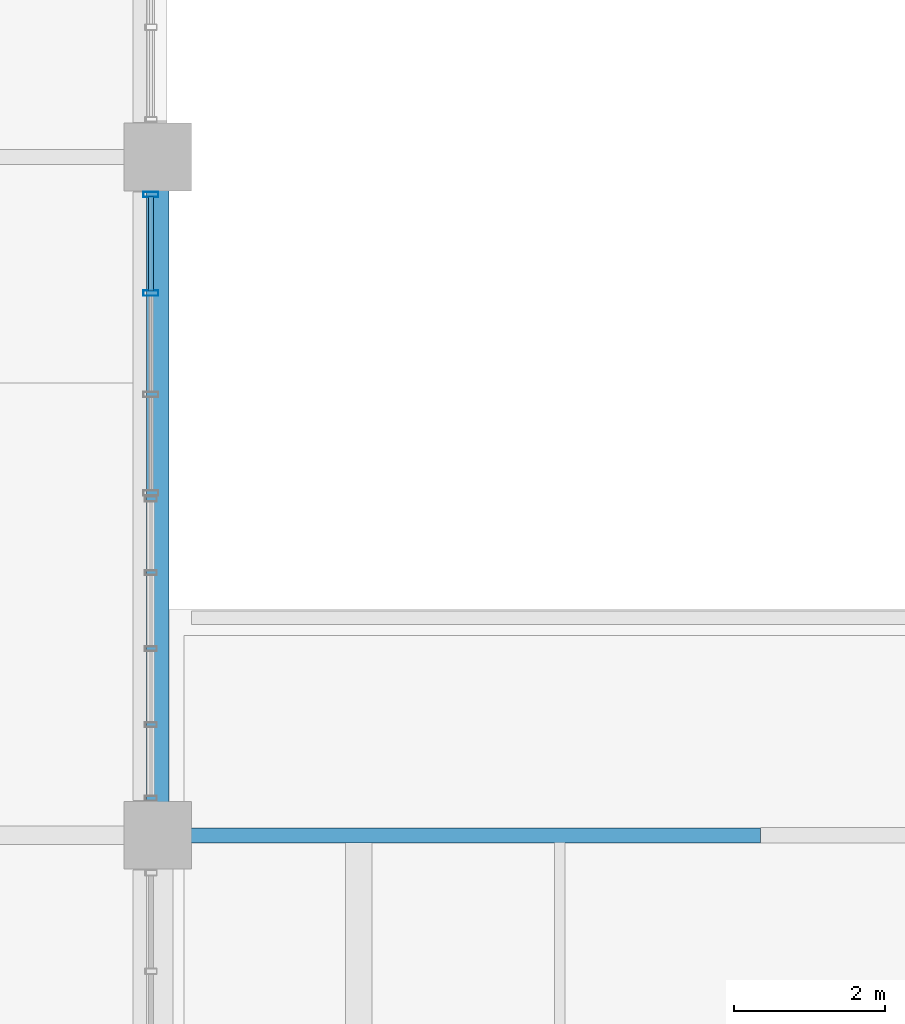
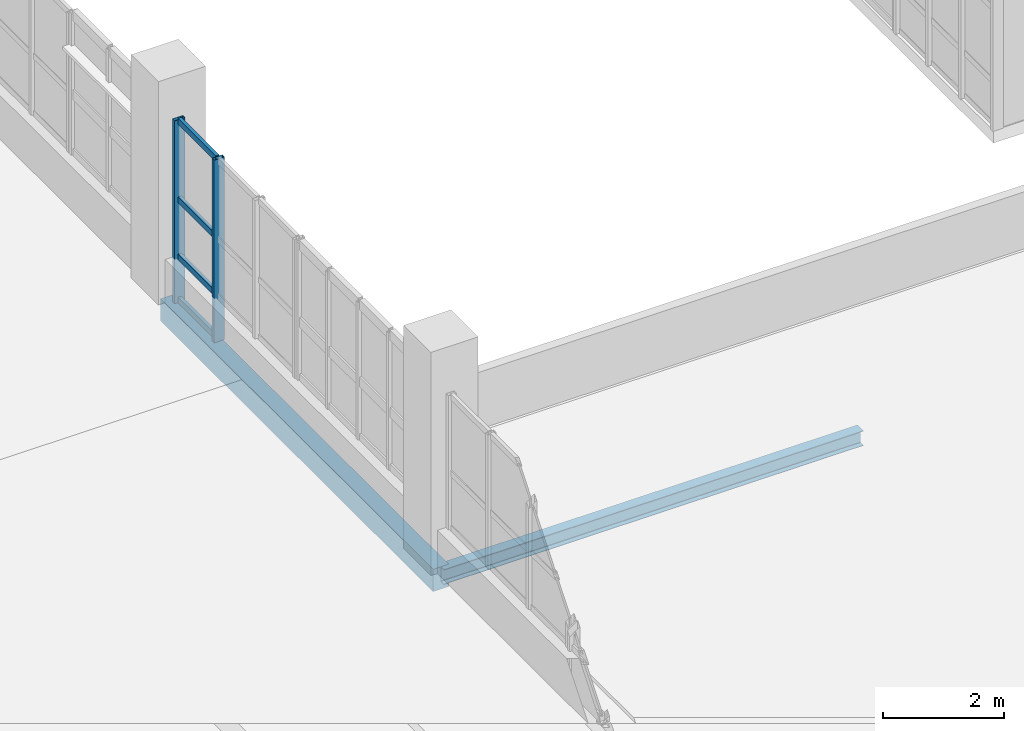
# One storey, part 19 of 85: 6 members, 2 beams, 1 element without a shape of its own.
"""IFC4 building model written with IfcOpenShell, lengths in metres."""

from ifc_helpers import new_model, si_unit, derived_unit, direction, frame, origin, origin_2d, place, context, subcontext, project, spatial, rectangle, hollow_rectangle, i_section, extrude, material, layer, layer_set, material_profile, profile_set, type_object, element, aggregate, save


model = new_model("IFC4")

# Units and contexts
model_context = context("Model", 3, precision=1e-05, world=origin(), true_north=direction((0.0, 1.0)))
body_context = subcontext(model_context, "Body", "Model", "MODEL_VIEW")
ifc_project = project(units=[si_unit("LENGTHUNIT", "METRE"), si_unit("AREAUNIT", "SQUARE_METRE"), si_unit("VOLUMEUNIT", "CUBIC_METRE"), si_unit("PLANEANGLEUNIT", "RADIAN"), si_unit("MASSUNIT", "GRAM", prefix="KILO"), derived_unit("THERMALTRANSMITTANCEUNIT", [(si_unit("POWERUNIT", "WATT"), 1), (si_unit("LENGTHUNIT", "METRE"), -2), (si_unit("THERMODYNAMICTEMPERATUREUNIT", "KELVIN"), -1)])], contexts=[model_context])

# Site, building, storey
site_placement = place(None, origin())
site = spatial("IfcSite", under=ifc_project, at=site_placement, CompositionType="ELEMENT")
building_placement = place(site_placement, origin())
building = spatial("IfcBuilding", under=site, at=building_placement, Name="Nallur Shell Playhouse", CompositionType="ELEMENT")
storey_placement = place(building_placement, frame((0.0, 0.0, 19.800048828125)))
storey = spatial("IfcBuildingStorey", under=building, at=storey_placement, Name="L05", CompositionType="ELEMENT", Elevation=19.800048828125)

# Beams
ifc_material_1 = material(Name="Concrete M35", Category="concrete")
ifc_material_profile_1 = material_profile(ifc_material_1, rectangle(XDim=0.300048828125, YDim=0.449951171875, at=origin_2d()), Name="RC 300x450")
ifc_profile_set_1 = profile_set([ifc_material_profile_1], Name="Concrete M35")
beam_type_1 = type_object("IfcBeamType", Name="BM-SPN-300x450", PredefinedType="SPANDREL", material=ifc_profile_set_1)
beam_1_placement = place(storey_placement, frame((40.0, 41.0, -0.47509765625), z_axis=(0.0, 1.0, 0.0), x_axis=(-1.0, 0.0, 0.0)))
element("IfcBeam", 1, at=beam_1_placement, inside=storey, type_object=beam_type_1, Name="L05 girder Y-5-1008", PredefinedType="SPANDREL", context=body_context, shape_type="SweptSolid", body=[
    extrude(rectangle(XDim=0.300048828125, YDim=0.449951171875, at=origin_2d()), origin(), (0.0, 0.0, 1.0), 9.0),
])
ifc_material_2 = material(Name="Steel E250", Category="steel")
ifc_material_profile_2 = material_profile(ifc_material_2, i_section(OverallWidth=0.199951171875, OverallDepth=0.300048828125, WebThickness=0.00732421875, FlangeThickness=0.010009765625, FilletRadius=0.010986328125, at=origin_2d()), Name="ISWB 300")
ifc_profile_set_2 = profile_set([ifc_material_profile_2], Name="Steel E250")
beam_type_2 = type_object("IfcBeamType", Name="BM-ST-ISWB300", PredefinedType="BEAM", material=ifc_profile_set_2)
beam_2_placement = place(storey_placement, frame((40.0, 41.0, -0.400146484375), z_axis=(1.0, 0.0, 0.0), x_axis=(0.0, 1.0, 0.0)))
element("IfcBeam", 2, at=beam_2_placement, inside=storey, type_object=beam_type_2, Name="L05 girder X-E-951", PredefinedType="BEAM", context=body_context, shape_type="SweptSolid", body=[
    extrude(i_section(OverallWidth=0.199951171875, OverallDepth=0.300048828125, WebThickness=0.00732421875, FlangeThickness=0.010009765625, FilletRadius=0.010986328125, at=origin_2d()), origin(), (0.0, 0.0, 1.0), 8.0),
])

# Curtain wall, members
ifc_material_3 = material(Name="Anodised Aluminium Double-Glazed Facade System", Category="aluminium")
ifc_layer = layer(ifc_material_3, 0.179931640625)
ifc_layer_set = layer_set([ifc_layer], Name="Anodised Aluminium Double-Glazed Facade System")
curtain_wall_type = type_object("IfcCurtainWallType", Name="CW-UNIT-17", PredefinedType="NOTDEFINED", material=ifc_layer_set)
curtain_wall_placement = place(storey_placement, origin())
curtain_wall = element("IfcCurtainWall", 3, at=curtain_wall_placement, inside=storey, type_object=curtain_wall_type, Name="Unitised curtain wall CW-177 (L05)", PredefinedType="NOTDEFINED")
ifc_material_4 = material(Name="Aluminium Alloy 6063-T6 Mullion", Category="aluminium")
ifc_material_profile_3 = material_profile(ifc_material_4, hollow_rectangle(XDim=0.074951171875, YDim=0.199951171875, WallThickness=0.0048828125, at=origin_2d()), Name="ALU 75x200x5")
ifc_profile_set_3 = profile_set([ifc_material_profile_3], Name="Aluminium Alloy 6063-T6 Mullion")
member_type_1 = type_object("IfcMemberType", Name="MB-CW-MUL180", PredefinedType="MULLION", material=ifc_profile_set_3)
member_1_placement = place(storey_placement, frame((39.909912109375, 49.50439453125, -0.01513671875), z_axis=(0.0, 0.0, 1.0), x_axis=(0.0, -1.0, 0.0)))
member_1 = element("IfcMember", 4, at=member_1_placement, type_object=member_type_1, Name="CW-17 mullion 1", PredefinedType="MULLION", context=body_context, shape_type="SweptSolid", body=[
    extrude(hollow_rectangle(XDim=0.074951171875, YDim=0.199951171875, WallThickness=0.0048828125, at=origin_2d()), origin(), (0.0, 0.0, 1.0), 3.68408203125),
])
member_2_placement = place(storey_placement, frame((39.909912109375, 48.1962890625, -0.01513671875), z_axis=(0.0, 0.0, 1.0), x_axis=(0.0, -1.0, 0.0)))
member_2 = element("IfcMember", 5, at=member_2_placement, type_object=member_type_1, Name="CW-17 mullion 2", PredefinedType="MULLION", context=body_context, shape_type="SweptSolid", body=[
    extrude(hollow_rectangle(XDim=0.074951171875, YDim=0.199951171875, WallThickness=0.0048828125, at=origin_2d()), origin(), (0.0, 0.0, 1.0), 3.68408203125),
])
ifc_material_5 = material(Name="Aluminium Alloy 6063-T6 Transom", Category="aluminium")
ifc_material_profile_4 = material_profile(ifc_material_5, hollow_rectangle(XDim=0.06494140625, YDim=0.1201171875, WallThickness=0.00390625, at=origin_2d()), Name="ALU 65x120x4")
ifc_profile_set_4 = profile_set([ifc_material_profile_4], Name="Aluminium Alloy 6063-T6 Transom")
member_type_2 = type_object("IfcMemberType", Name="MB-CW-TRN120", PredefinedType="USERDEFINED", material=ifc_profile_set_4)
member_3_placement = place(storey_placement, frame((39.909912109375, 49.47509765625, 0.032470703125), z_axis=(0.0, -1.0, 0.0), x_axis=(1.0, 0.0, 0.0)))
member_3 = element("IfcMember", 6, at=member_3_placement, type_object=member_type_2, Name="CW-17 transom 1.1", ObjectType="TRANSOM", PredefinedType="USERDEFINED", context=body_context, shape_type="SweptSolid", body=[
    extrude(hollow_rectangle(XDim=0.06494140625, YDim=0.1201171875, WallThickness=0.00390625, at=origin_2d()), origin(), (0.0, 0.0, 1.0), 1.249267578125),
])
member_4_placement = place(storey_placement, frame((39.909912109375, 49.47509765625, 0.89990234375), z_axis=(0.0, -1.0, 0.0), x_axis=(1.0, 0.0, 0.0)))
member_4 = element("IfcMember", 7, at=member_4_placement, type_object=member_type_2, Name="CW-17 transom 1.2", ObjectType="TRANSOM", PredefinedType="USERDEFINED", context=body_context, shape_type="SweptSolid", body=[
    extrude(hollow_rectangle(XDim=0.06494140625, YDim=0.1201171875, WallThickness=0.00390625, at=origin_2d()), origin(), (0.0, 0.0, 1.0), 1.249267578125),
])
member_5_placement = place(storey_placement, frame((39.909912109375, 49.47509765625, 2.052001953125), z_axis=(0.0, -1.0, 0.0), x_axis=(1.0, 0.0, 0.0)))
member_5 = element("IfcMember", 8, at=member_5_placement, type_object=member_type_2, Name="CW-17 transom 1.3", ObjectType="TRANSOM", PredefinedType="USERDEFINED", context=body_context, shape_type="SweptSolid", body=[
    extrude(hollow_rectangle(XDim=0.06494140625, YDim=0.1201171875, WallThickness=0.00390625, at=origin_2d()), origin(), (0.0, 0.0, 1.0), 1.249267578125),
])
member_6_placement = place(storey_placement, frame((39.909912109375, 49.47509765625, 3.632568359375), z_axis=(0.0, -1.0, 0.0), x_axis=(1.0, 0.0, 0.0)))
member_6 = element("IfcMember", 9, at=member_6_placement, type_object=member_type_2, Name="CW-17 transom 1.4", ObjectType="TRANSOM", PredefinedType="USERDEFINED", context=body_context, shape_type="SweptSolid", body=[
    extrude(hollow_rectangle(XDim=0.06494140625, YDim=0.1201171875, WallThickness=0.00390625, at=origin_2d()), origin(), (0.0, 0.0, 1.0), 1.249267578125),
])
aggregate(curtain_wall, [member_1, member_2, member_3, member_4, member_5, member_6])

save(model, "model.ifc")
